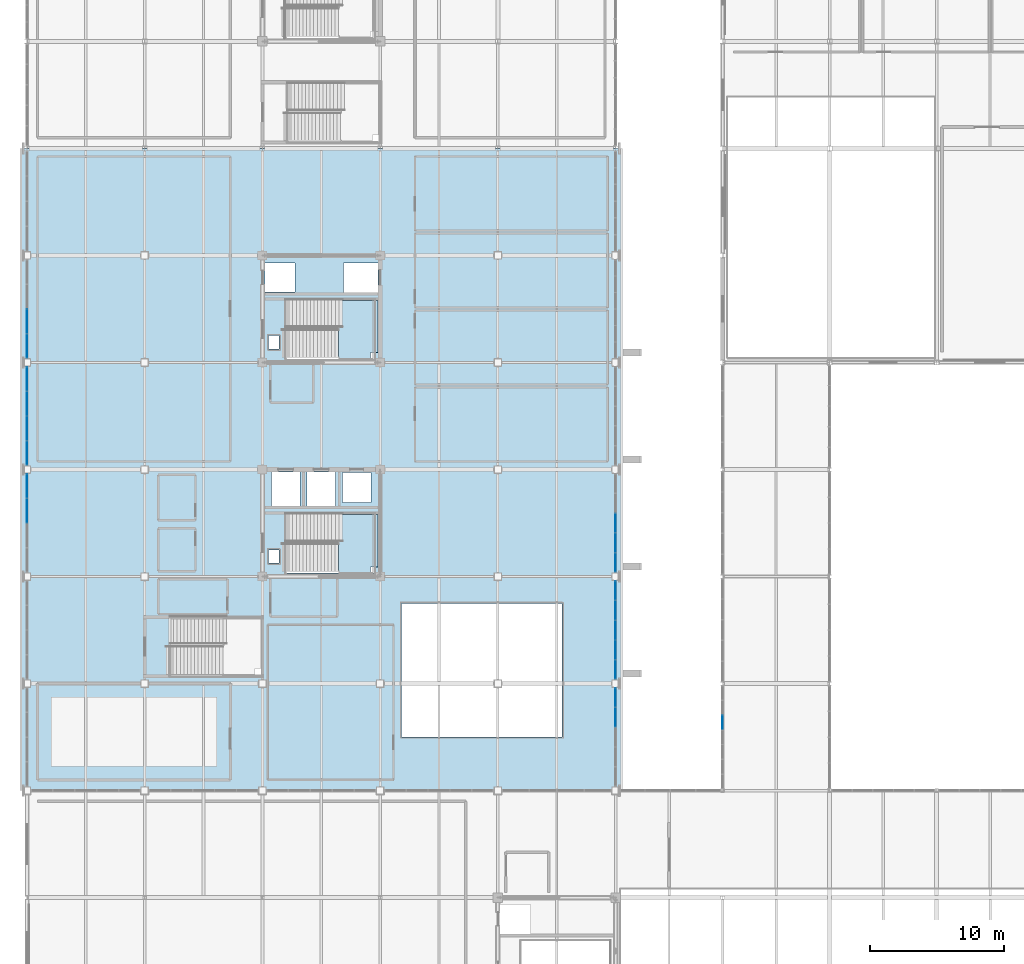
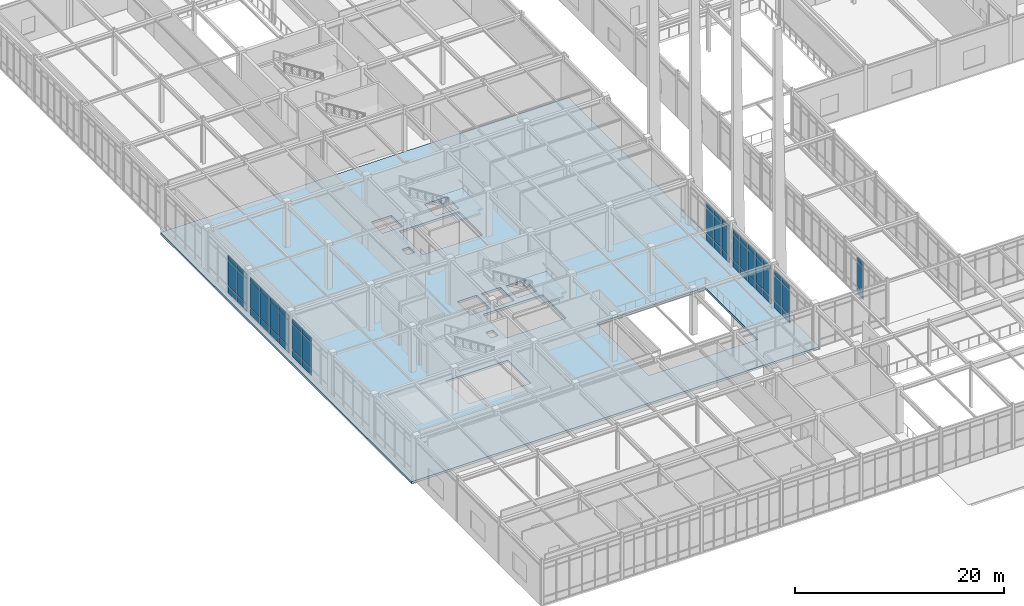
# One storey, part 87 of 184: 57 plates, 3 slabs, 9 elements without a shape of their own.
"""IFC4 building model written with IfcOpenShell, lengths in metres."""

from ifc_helpers import new_model, si_unit, direction, frame, origin, origin_2d, place, context, subcontext, project, spatial, polyline, rectangle, outline, extrude, material, layer, layer_set, type_object, element, aggregate, save


model = new_model("IFC4")

# Units and contexts
model_context = context("Model", 3, precision=1e-05, world=origin(), true_north=direction((0.0, 1.0)))
body_context = subcontext(model_context, "Body", "Model", "MODEL_VIEW")
ifc_project = project(units=[si_unit("LENGTHUNIT", "METRE"), si_unit("AREAUNIT", "SQUARE_METRE"), si_unit("VOLUMEUNIT", "CUBIC_METRE"), si_unit("PLANEANGLEUNIT", "RADIAN"), si_unit("MASSUNIT", "GRAM", prefix="KILO")], contexts=[model_context])

# Site, building, storey
site_placement = place(None, origin())
site = spatial("IfcSite", under=ifc_project, at=site_placement, CompositionType="ELEMENT")
building_placement = place(site_placement, origin())
building = spatial("IfcBuilding", under=site, at=building_placement, Name="Zhaolan Boulevard Law Courts", CompositionType="ELEMENT")
storey_placement = place(building_placement, frame((0.0, 0.0, 5.39990234375)))
storey = spatial("IfcBuildingStorey", under=building, at=storey_placement, Name="L01", CompositionType="ELEMENT", Elevation=5.39990234375)

# Curtain wall, plates
ifc_material_1 = material(Name="Thermally broken aluminium and low-E glazing", Category="aluminium")
curtain_wall_type_1 = type_object("IfcCurtainWallType", Name="CURTAIN WALL M18", PredefinedType="USERDEFINED", material=ifc_material_1)
curtain_wall_1_placement = place(storey_placement, origin())
curtain_wall_1 = element("IfcCurtainWall", 1, at=curtain_wall_1_placement, inside=storey, type_object=curtain_wall_type_1, Name="Curtain Wall CW-L01-066", ObjectType="CURTAIN WALL", PredefinedType="USERDEFINED")
ifc_material_2 = material(Name="Acoustic laminated low-E glazing", Category="glass")
ifc_layer_1 = layer(ifc_material_2, 0.031982421875)
ifc_layer_set_1 = layer_set([ifc_layer_1])
plate_type = type_object("IfcPlateType", Name="CWPANEL LOW E32", PredefinedType="CURTAIN_PANEL", material=ifc_layer_set_1)
plate_1_placement = place(storey_placement, frame((52.0, 35.106689453125, 0.06494140625), z_axis=(0.0, 0.0, 1.0), x_axis=(0.0, -1.0, 0.0)))
plate_1 = element("IfcPlate", 2, at=plate_1_placement, type_object=plate_type, Name="CW-L01-066 panel 3.1", PredefinedType="CURTAIN_PANEL", context=body_context, shape_type="SweptSolid", body=[
    extrude(rectangle(XDim=1.04150390625, YDim=0.031982421875, at=origin_2d()), origin(), (0.0, 0.0, 1.0), 0.802490234375),
])
plate_2_placement = place(storey_placement, frame((52.0, 35.106689453125, 0.9326171875), z_axis=(0.0, 0.0, 1.0), x_axis=(0.0, -1.0, 0.0)))
plate_2 = element("IfcPlate", 3, at=plate_2_placement, type_object=plate_type, Name="CW-L01-066 panel 3.2", PredefinedType="CURTAIN_PANEL", context=body_context, shape_type="SweptSolid", body=[
    extrude(rectangle(XDim=1.04150390625, YDim=0.031982421875, at=origin_2d()), origin(), (0.0, 0.0, 1.0), 2.91796875),
])
plate_3_placement = place(storey_placement, frame((52.0, 35.106689453125, 3.91552734375), z_axis=(0.0, 0.0, 1.0), x_axis=(0.0, -1.0, 0.0)))
plate_3 = element("IfcPlate", 4, at=plate_3_placement, type_object=plate_type, Name="CW-L01-066 panel 3.3", PredefinedType="CURTAIN_PANEL", context=body_context, shape_type="SweptSolid", body=[
    extrude(rectangle(XDim=1.04150390625, YDim=0.031982421875, at=origin_2d()), origin(), (0.0, 0.0, 1.0), 0.552490234375),
])
aggregate(curtain_wall_1, [plate_1, plate_2, plate_3])

ifc_material_3 = material(Name="Thermally broken aluminium and low-E glazing", Category="aluminium")
curtain_wall_type_2 = type_object("IfcCurtainWallType", Name="CURTAIN WALL M21", PredefinedType="USERDEFINED", material=ifc_material_3)
curtain_wall_2_placement = place(storey_placement, origin())
curtain_wall_2 = element("IfcCurtainWall", 5, at=curtain_wall_2_placement, inside=storey, type_object=curtain_wall_type_2, Name="Curtain Wall CW-L01-141", ObjectType="CURTAIN WALL", PredefinedType="USERDEFINED")
plate_4_placement = place(storey_placement, frame((0.0, 52.75732421875, 0.06494140625), z_axis=(0.0, 0.0, 1.0), x_axis=(0.0, -1.0, 0.0)))
plate_4 = element("IfcPlate", 6, at=plate_4_placement, type_object=plate_type, Name="CW-L01-141 panel 1.1", PredefinedType="CURTAIN_PANEL", context=body_context, shape_type="SweptSolid", body=[
    extrude(rectangle(XDim=1.75146484375, YDim=0.031982421875, at=origin_2d()), origin(), (0.0, 0.0, 1.0), 0.802490234375),
])
plate_5_placement = place(storey_placement, frame((0.0, 52.75732421875, 0.9326171875), z_axis=(0.0, 0.0, 1.0), x_axis=(0.0, -1.0, 0.0)))
plate_5 = element("IfcPlate", 7, at=plate_5_placement, type_object=plate_type, Name="CW-L01-141 panel 1.2", PredefinedType="CURTAIN_PANEL", context=body_context, shape_type="SweptSolid", body=[
    extrude(rectangle(XDim=1.75146484375, YDim=0.031982421875, at=origin_2d()), origin(), (0.0, 0.0, 1.0), 2.907958984375),
])
plate_6_placement = place(storey_placement, frame((0.0, 52.75732421875, 3.90576171875), z_axis=(0.0, 0.0, 1.0), x_axis=(0.0, -1.0, 0.0)))
plate_6 = element("IfcPlate", 8, at=plate_6_placement, type_object=plate_type, Name="CW-L01-141 panel 1.3", PredefinedType="CURTAIN_PANEL", context=body_context, shape_type="SweptSolid", body=[
    extrude(rectangle(XDim=1.75146484375, YDim=0.031982421875, at=origin_2d()), origin(), (0.0, 0.0, 1.0), 0.552490234375),
])
plate_7_placement = place(storey_placement, frame((0.0, 50.924560546875, 0.06494140625), z_axis=(0.0, 0.0, 1.0), x_axis=(0.0, -1.0, 0.0)))
plate_7 = element("IfcPlate", 9, at=plate_7_placement, type_object=plate_type, Name="CW-L01-141 panel 2.1", PredefinedType="CURTAIN_PANEL", context=body_context, shape_type="SweptSolid", body=[
    extrude(rectangle(XDim=1.783935546875, YDim=0.031982421875, at=origin_2d()), origin(), (0.0, 0.0, 1.0), 0.802490234375),
])
plate_8_placement = place(storey_placement, frame((0.0, 50.924560546875, 0.9326171875), z_axis=(0.0, 0.0, 1.0), x_axis=(0.0, -1.0, 0.0)))
plate_8 = element("IfcPlate", 10, at=plate_8_placement, type_object=plate_type, Name="CW-L01-141 panel 2.2", PredefinedType="CURTAIN_PANEL", context=body_context, shape_type="SweptSolid", body=[
    extrude(rectangle(XDim=1.783935546875, YDim=0.031982421875, at=origin_2d()), origin(), (0.0, 0.0, 1.0), 2.907958984375),
])
plate_9_placement = place(storey_placement, frame((0.0, 50.924560546875, 3.90576171875), z_axis=(0.0, 0.0, 1.0), x_axis=(0.0, -1.0, 0.0)))
plate_9 = element("IfcPlate", 11, at=plate_9_placement, type_object=plate_type, Name="CW-L01-141 panel 2.3", PredefinedType="CURTAIN_PANEL", context=body_context, shape_type="SweptSolid", body=[
    extrude(rectangle(XDim=1.783935546875, YDim=0.031982421875, at=origin_2d()), origin(), (0.0, 0.0, 1.0), 0.552490234375),
])
aggregate(curtain_wall_2, [plate_4, plate_5, plate_6, plate_7, plate_8, plate_9])

ifc_material_4 = material(Name="Thermally broken aluminium and low-E glazing", Category="aluminium")
curtain_wall_type_3 = type_object("IfcCurtainWallType", Name="CURTAIN WALL M22", PredefinedType="USERDEFINED", material=ifc_material_4)
curtain_wall_3_placement = place(storey_placement, origin())
curtain_wall_3 = element("IfcCurtainWall", 12, at=curtain_wall_3_placement, inside=storey, type_object=curtain_wall_type_3, Name="Curtain Wall CW-L01-142", ObjectType="CURTAIN WALL", PredefinedType="USERDEFINED")
plate_10_placement = place(storey_placement, frame((0.0, 60.75732421875, 0.06494140625), z_axis=(0.0, 0.0, 1.0), x_axis=(0.0, -1.0, 0.0)))
plate_10 = element("IfcPlate", 13, at=plate_10_placement, type_object=plate_type, Name="CW-L01-142 panel 1.1", PredefinedType="CURTAIN_PANEL", context=body_context, shape_type="SweptSolid", body=[
    extrude(rectangle(XDim=1.75146484375, YDim=0.031982421875, at=origin_2d()), origin(), (0.0, 0.0, 1.0), 0.802490234375),
])
plate_11_placement = place(storey_placement, frame((0.0, 60.75732421875, 0.9326171875), z_axis=(0.0, 0.0, 1.0), x_axis=(0.0, -1.0, 0.0)))
plate_11 = element("IfcPlate", 14, at=plate_11_placement, type_object=plate_type, Name="CW-L01-142 panel 1.2", PredefinedType="CURTAIN_PANEL", context=body_context, shape_type="SweptSolid", body=[
    extrude(rectangle(XDim=1.75146484375, YDim=0.031982421875, at=origin_2d()), origin(), (0.0, 0.0, 1.0), 2.907958984375),
])
plate_12_placement = place(storey_placement, frame((0.0, 60.75732421875, 3.90576171875), z_axis=(0.0, 0.0, 1.0), x_axis=(0.0, -1.0, 0.0)))
plate_12 = element("IfcPlate", 15, at=plate_12_placement, type_object=plate_type, Name="CW-L01-142 panel 1.3", PredefinedType="CURTAIN_PANEL", context=body_context, shape_type="SweptSolid", body=[
    extrude(rectangle(XDim=1.75146484375, YDim=0.031982421875, at=origin_2d()), origin(), (0.0, 0.0, 1.0), 0.552490234375),
])
plate_13_placement = place(storey_placement, frame((0.0, 58.924560546875, 0.06494140625), z_axis=(0.0, 0.0, 1.0), x_axis=(0.0, -1.0, 0.0)))
plate_13 = element("IfcPlate", 16, at=plate_13_placement, type_object=plate_type, Name="CW-L01-142 panel 2.1", PredefinedType="CURTAIN_PANEL", context=body_context, shape_type="SweptSolid", body=[
    extrude(rectangle(XDim=1.783935546875, YDim=0.031982421875, at=origin_2d()), origin(), (0.0, 0.0, 1.0), 0.802490234375),
])
plate_14_placement = place(storey_placement, frame((0.0, 58.924560546875, 0.9326171875), z_axis=(0.0, 0.0, 1.0), x_axis=(0.0, -1.0, 0.0)))
plate_14 = element("IfcPlate", 17, at=plate_14_placement, type_object=plate_type, Name="CW-L01-142 panel 2.2", PredefinedType="CURTAIN_PANEL", context=body_context, shape_type="SweptSolid", body=[
    extrude(rectangle(XDim=1.783935546875, YDim=0.031982421875, at=origin_2d()), origin(), (0.0, 0.0, 1.0), 2.907958984375),
])
plate_15_placement = place(storey_placement, frame((0.0, 58.924560546875, 3.90576171875), z_axis=(0.0, 0.0, 1.0), x_axis=(0.0, -1.0, 0.0)))
plate_15 = element("IfcPlate", 18, at=plate_15_placement, type_object=plate_type, Name="CW-L01-142 panel 2.3", PredefinedType="CURTAIN_PANEL", context=body_context, shape_type="SweptSolid", body=[
    extrude(rectangle(XDim=1.783935546875, YDim=0.031982421875, at=origin_2d()), origin(), (0.0, 0.0, 1.0), 0.552490234375),
])
plate_16_placement = place(storey_placement, frame((0.0, 57.075439453125, 0.06494140625), z_axis=(0.0, 0.0, 1.0), x_axis=(0.0, -1.0, 0.0)))
plate_16 = element("IfcPlate", 19, at=plate_16_placement, type_object=plate_type, Name="CW-L01-142 panel 3.1", PredefinedType="CURTAIN_PANEL", context=body_context, shape_type="SweptSolid", body=[
    extrude(rectangle(XDim=1.783935546875, YDim=0.031982421875, at=origin_2d()), origin(), (0.0, 0.0, 1.0), 0.802490234375),
])
plate_17_placement = place(storey_placement, frame((0.0, 57.075439453125, 0.9326171875), z_axis=(0.0, 0.0, 1.0), x_axis=(0.0, -1.0, 0.0)))
plate_17 = element("IfcPlate", 20, at=plate_17_placement, type_object=plate_type, Name="CW-L01-142 panel 3.2", PredefinedType="CURTAIN_PANEL", context=body_context, shape_type="SweptSolid", body=[
    extrude(rectangle(XDim=1.783935546875, YDim=0.031982421875, at=origin_2d()), origin(), (0.0, 0.0, 1.0), 2.907958984375),
])
plate_18_placement = place(storey_placement, frame((0.0, 57.075439453125, 3.90576171875), z_axis=(0.0, 0.0, 1.0), x_axis=(0.0, -1.0, 0.0)))
plate_18 = element("IfcPlate", 21, at=plate_18_placement, type_object=plate_type, Name="CW-L01-142 panel 3.3", PredefinedType="CURTAIN_PANEL", context=body_context, shape_type="SweptSolid", body=[
    extrude(rectangle(XDim=1.783935546875, YDim=0.031982421875, at=origin_2d()), origin(), (0.0, 0.0, 1.0), 0.552490234375),
])
plate_19_placement = place(storey_placement, frame((0.0, 55.24267578125, 0.06494140625), z_axis=(0.0, 0.0, 1.0), x_axis=(0.0, -1.0, 0.0)))
plate_19 = element("IfcPlate", 22, at=plate_19_placement, type_object=plate_type, Name="CW-L01-142 panel 4.1", PredefinedType="CURTAIN_PANEL", context=body_context, shape_type="SweptSolid", body=[
    extrude(rectangle(XDim=1.75146484375, YDim=0.031982421875, at=origin_2d()), origin(), (0.0, 0.0, 1.0), 0.802490234375),
])
plate_20_placement = place(storey_placement, frame((0.0, 55.24267578125, 0.9326171875), z_axis=(0.0, 0.0, 1.0), x_axis=(0.0, -1.0, 0.0)))
plate_20 = element("IfcPlate", 23, at=plate_20_placement, type_object=plate_type, Name="CW-L01-142 panel 4.2", PredefinedType="CURTAIN_PANEL", context=body_context, shape_type="SweptSolid", body=[
    extrude(rectangle(XDim=1.75146484375, YDim=0.031982421875, at=origin_2d()), origin(), (0.0, 0.0, 1.0), 2.907958984375),
])
plate_21_placement = place(storey_placement, frame((0.0, 55.24267578125, 3.90576171875), z_axis=(0.0, 0.0, 1.0), x_axis=(0.0, -1.0, 0.0)))
plate_21 = element("IfcPlate", 24, at=plate_21_placement, type_object=plate_type, Name="CW-L01-142 panel 4.3", PredefinedType="CURTAIN_PANEL", context=body_context, shape_type="SweptSolid", body=[
    extrude(rectangle(XDim=1.75146484375, YDim=0.031982421875, at=origin_2d()), origin(), (0.0, 0.0, 1.0), 0.552490234375),
])
aggregate(curtain_wall_3, [plate_10, plate_11, plate_12, plate_13, plate_14, plate_15, plate_16, plate_17, plate_18, plate_19, plate_20, plate_21])

ifc_material_5 = material(Name="Thermally broken aluminium and low-E glazing", Category="aluminium")
curtain_wall_type_4 = type_object("IfcCurtainWallType", Name="CURTAIN WALL M23", PredefinedType="USERDEFINED", material=ifc_material_5)
curtain_wall_4_placement = place(storey_placement, origin())
curtain_wall_4 = element("IfcCurtainWall", 25, at=curtain_wall_4_placement, inside=storey, type_object=curtain_wall_type_4, Name="Curtain Wall CW-L01-143", ObjectType="CURTAIN WALL", PredefinedType="USERDEFINED")
plate_22_placement = place(storey_placement, frame((0.0, 65.075439453125, 0.06494140625), z_axis=(0.0, 0.0, 1.0), x_axis=(0.0, -1.0, 0.0)))
plate_22 = element("IfcPlate", 26, at=plate_22_placement, type_object=plate_type, Name="CW-L01-143 panel 3.1", PredefinedType="CURTAIN_PANEL", context=body_context, shape_type="SweptSolid", body=[
    extrude(rectangle(XDim=1.783935546875, YDim=0.031982421875, at=origin_2d()), origin(), (0.0, 0.0, 1.0), 0.802490234375),
])
plate_23_placement = place(storey_placement, frame((0.0, 65.075439453125, 0.9326171875), z_axis=(0.0, 0.0, 1.0), x_axis=(0.0, -1.0, 0.0)))
plate_23 = element("IfcPlate", 27, at=plate_23_placement, type_object=plate_type, Name="CW-L01-143 panel 3.2", PredefinedType="CURTAIN_PANEL", context=body_context, shape_type="SweptSolid", body=[
    extrude(rectangle(XDim=1.783935546875, YDim=0.031982421875, at=origin_2d()), origin(), (0.0, 0.0, 1.0), 2.907958984375),
])
plate_24_placement = place(storey_placement, frame((0.0, 65.075439453125, 3.90576171875), z_axis=(0.0, 0.0, 1.0), x_axis=(0.0, -1.0, 0.0)))
plate_24 = element("IfcPlate", 28, at=plate_24_placement, type_object=plate_type, Name="CW-L01-143 panel 3.3", PredefinedType="CURTAIN_PANEL", context=body_context, shape_type="SweptSolid", body=[
    extrude(rectangle(XDim=1.783935546875, YDim=0.031982421875, at=origin_2d()), origin(), (0.0, 0.0, 1.0), 0.552490234375),
])
plate_25_placement = place(storey_placement, frame((0.0, 63.24267578125, 0.06494140625), z_axis=(0.0, 0.0, 1.0), x_axis=(0.0, -1.0, 0.0)))
plate_25 = element("IfcPlate", 29, at=plate_25_placement, type_object=plate_type, Name="CW-L01-143 panel 4.1", PredefinedType="CURTAIN_PANEL", context=body_context, shape_type="SweptSolid", body=[
    extrude(rectangle(XDim=1.75146484375, YDim=0.031982421875, at=origin_2d()), origin(), (0.0, 0.0, 1.0), 0.802490234375),
])
plate_26_placement = place(storey_placement, frame((0.0, 63.24267578125, 0.9326171875), z_axis=(0.0, 0.0, 1.0), x_axis=(0.0, -1.0, 0.0)))
plate_26 = element("IfcPlate", 30, at=plate_26_placement, type_object=plate_type, Name="CW-L01-143 panel 4.2", PredefinedType="CURTAIN_PANEL", context=body_context, shape_type="SweptSolid", body=[
    extrude(rectangle(XDim=1.75146484375, YDim=0.031982421875, at=origin_2d()), origin(), (0.0, 0.0, 1.0), 2.907958984375),
])
plate_27_placement = place(storey_placement, frame((0.0, 63.24267578125, 3.90576171875), z_axis=(0.0, 0.0, 1.0), x_axis=(0.0, -1.0, 0.0)))
plate_27 = element("IfcPlate", 31, at=plate_27_placement, type_object=plate_type, Name="CW-L01-143 panel 4.3", PredefinedType="CURTAIN_PANEL", context=body_context, shape_type="SweptSolid", body=[
    extrude(rectangle(XDim=1.75146484375, YDim=0.031982421875, at=origin_2d()), origin(), (0.0, 0.0, 1.0), 0.552490234375),
])
aggregate(curtain_wall_4, [plate_22, plate_23, plate_24, plate_25, plate_26, plate_27])

ifc_material_6 = material(Name="Thermally broken aluminium and low-E glazing", Category="aluminium")
curtain_wall_type_5 = type_object("IfcCurtainWallType", Name="CURTAIN WALL M1", PredefinedType="USERDEFINED", material=ifc_material_6)
curtain_wall_5_placement = place(storey_placement, origin())
curtain_wall_5 = element("IfcCurtainWall", 32, at=curtain_wall_5_placement, inside=storey, type_object=curtain_wall_type_5, Name="Curtain Wall CW-L01-145", ObjectType="CURTAIN WALL", PredefinedType="USERDEFINED")
plate_28_placement = place(storey_placement, frame((44.0, 35.479248046875, 0.06494140625), z_axis=(0.0, 0.0, 1.0), x_axis=(0.0, 1.0, 0.0)))
plate_28 = element("IfcPlate", 33, at=plate_28_placement, type_object=plate_type, Name="CW-L01-145 panel 4.1", PredefinedType="CURTAIN_PANEL", context=body_context, shape_type="SweptSolid", body=[
    extrude(rectangle(XDim=1.414306640625, YDim=0.031982421875, at=origin_2d()), origin(), (0.0, 0.0, 1.0), 0.802490234375),
])
plate_29_placement = place(storey_placement, frame((44.0, 35.479248046875, 0.9326171875), z_axis=(0.0, 0.0, 1.0), x_axis=(0.0, 1.0, 0.0)))
plate_29 = element("IfcPlate", 34, at=plate_29_placement, type_object=plate_type, Name="CW-L01-145 panel 4.2", PredefinedType="CURTAIN_PANEL", context=body_context, shape_type="SweptSolid", body=[
    extrude(rectangle(XDim=1.414306640625, YDim=0.031982421875, at=origin_2d()), origin(), (0.0, 0.0, 1.0), 2.907958984375),
])
plate_30_placement = place(storey_placement, frame((44.0, 35.479248046875, 3.90576171875), z_axis=(0.0, 0.0, 1.0), x_axis=(0.0, 1.0, 0.0)))
plate_30 = element("IfcPlate", 35, at=plate_30_placement, type_object=plate_type, Name="CW-L01-145 panel 4.3", PredefinedType="CURTAIN_PANEL", context=body_context, shape_type="SweptSolid", body=[
    extrude(rectangle(XDim=1.414306640625, YDim=0.031982421875, at=origin_2d()), origin(), (0.0, 0.0, 1.0), 0.552490234375),
])
plate_31_placement = place(storey_placement, frame((44.0, 36.942138671875, 0.06494140625), z_axis=(0.0, 0.0, 1.0), x_axis=(0.0, 1.0, 0.0)))
plate_31 = element("IfcPlate", 36, at=plate_31_placement, type_object=plate_type, Name="CW-L01-145 panel 5.1", PredefinedType="CURTAIN_PANEL", context=body_context, shape_type="SweptSolid", body=[
    extrude(rectangle(XDim=1.381591796875, YDim=0.031982421875, at=origin_2d()), origin(), (0.0, 0.0, 1.0), 0.802490234375),
])
plate_32_placement = place(storey_placement, frame((44.0, 36.942138671875, 0.9326171875), z_axis=(0.0, 0.0, 1.0), x_axis=(0.0, 1.0, 0.0)))
plate_32 = element("IfcPlate", 37, at=plate_32_placement, type_object=plate_type, Name="CW-L01-145 panel 5.2", PredefinedType="CURTAIN_PANEL", context=body_context, shape_type="SweptSolid", body=[
    extrude(rectangle(XDim=1.381591796875, YDim=0.031982421875, at=origin_2d()), origin(), (0.0, 0.0, 1.0), 2.907958984375),
])
plate_33_placement = place(storey_placement, frame((44.0, 36.942138671875, 3.90576171875), z_axis=(0.0, 0.0, 1.0), x_axis=(0.0, 1.0, 0.0)))
plate_33 = element("IfcPlate", 38, at=plate_33_placement, type_object=plate_type, Name="CW-L01-145 panel 5.3", PredefinedType="CURTAIN_PANEL", context=body_context, shape_type="SweptSolid", body=[
    extrude(rectangle(XDim=1.381591796875, YDim=0.031982421875, at=origin_2d()), origin(), (0.0, 0.0, 1.0), 0.552490234375),
])
aggregate(curtain_wall_5, [plate_28, plate_29, plate_30, plate_31, plate_32, plate_33])

ifc_material_7 = material(Name="Thermally broken aluminium and low-E glazing", Category="aluminium")
curtain_wall_type_6 = type_object("IfcCurtainWallType", Name="CURTAIN WALL M2", PredefinedType="USERDEFINED", material=ifc_material_7)
curtain_wall_6_placement = place(storey_placement, origin())
curtain_wall_6 = element("IfcCurtainWall", 39, at=curtain_wall_6_placement, inside=storey, type_object=curtain_wall_type_6, Name="Curtain Wall CW-L01-146", ObjectType="CURTAIN WALL", PredefinedType="USERDEFINED")
plate_34_placement = place(storey_placement, frame((44.0, 39.057861328125, 0.06494140625), z_axis=(0.0, 0.0, 1.0), x_axis=(0.0, 1.0, 0.0)))
plate_34 = element("IfcPlate", 40, at=plate_34_placement, type_object=plate_type, Name="CW-L01-146 panel 1.1", PredefinedType="CURTAIN_PANEL", context=body_context, shape_type="SweptSolid", body=[
    extrude(rectangle(XDim=1.381591796875, YDim=0.031982421875, at=origin_2d()), origin(), (0.0, 0.0, 1.0), 0.802490234375),
])
plate_35_placement = place(storey_placement, frame((44.0, 39.057861328125, 0.9326171875), z_axis=(0.0, 0.0, 1.0), x_axis=(0.0, 1.0, 0.0)))
plate_35 = element("IfcPlate", 41, at=plate_35_placement, type_object=plate_type, Name="CW-L01-146 panel 1.2", PredefinedType="CURTAIN_PANEL", context=body_context, shape_type="SweptSolid", body=[
    extrude(rectangle(XDim=1.381591796875, YDim=0.031982421875, at=origin_2d()), origin(), (0.0, 0.0, 1.0), 2.907958984375),
])
plate_36_placement = place(storey_placement, frame((44.0, 39.057861328125, 3.90576171875), z_axis=(0.0, 0.0, 1.0), x_axis=(0.0, 1.0, 0.0)))
plate_36 = element("IfcPlate", 42, at=plate_36_placement, type_object=plate_type, Name="CW-L01-146 panel 1.3", PredefinedType="CURTAIN_PANEL", context=body_context, shape_type="SweptSolid", body=[
    extrude(rectangle(XDim=1.381591796875, YDim=0.031982421875, at=origin_2d()), origin(), (0.0, 0.0, 1.0), 0.552490234375),
])
plate_37_placement = place(storey_placement, frame((44.0, 40.520751953125, 0.06494140625), z_axis=(0.0, 0.0, 1.0), x_axis=(0.0, 1.0, 0.0)))
plate_37 = element("IfcPlate", 43, at=plate_37_placement, type_object=plate_type, Name="CW-L01-146 panel 2.1", PredefinedType="CURTAIN_PANEL", context=body_context, shape_type="SweptSolid", body=[
    extrude(rectangle(XDim=1.414306640625, YDim=0.031982421875, at=origin_2d()), origin(), (0.0, 0.0, 1.0), 0.802490234375),
])
plate_38_placement = place(storey_placement, frame((44.0, 40.520751953125, 0.9326171875), z_axis=(0.0, 0.0, 1.0), x_axis=(0.0, 1.0, 0.0)))
plate_38 = element("IfcPlate", 44, at=plate_38_placement, type_object=plate_type, Name="CW-L01-146 panel 2.2", PredefinedType="CURTAIN_PANEL", context=body_context, shape_type="SweptSolid", body=[
    extrude(rectangle(XDim=1.414306640625, YDim=0.031982421875, at=origin_2d()), origin(), (0.0, 0.0, 1.0), 2.907958984375),
])
plate_39_placement = place(storey_placement, frame((44.0, 40.520751953125, 3.90576171875), z_axis=(0.0, 0.0, 1.0), x_axis=(0.0, 1.0, 0.0)))
plate_39 = element("IfcPlate", 45, at=plate_39_placement, type_object=plate_type, Name="CW-L01-146 panel 2.3", PredefinedType="CURTAIN_PANEL", context=body_context, shape_type="SweptSolid", body=[
    extrude(rectangle(XDim=1.414306640625, YDim=0.031982421875, at=origin_2d()), origin(), (0.0, 0.0, 1.0), 0.552490234375),
])
plate_40_placement = place(storey_placement, frame((44.0, 42.0, 0.06494140625), z_axis=(0.0, 0.0, 1.0), x_axis=(0.0, 1.0, 0.0)))
plate_40 = element("IfcPlate", 46, at=plate_40_placement, type_object=plate_type, Name="CW-L01-146 panel 3.1", PredefinedType="CURTAIN_PANEL", context=body_context, shape_type="SweptSolid", body=[
    extrude(rectangle(XDim=1.414306640625, YDim=0.031982421875, at=origin_2d()), origin(), (0.0, 0.0, 1.0), 0.802490234375),
])
plate_41_placement = place(storey_placement, frame((44.0, 42.0, 0.9326171875), z_axis=(0.0, 0.0, 1.0), x_axis=(0.0, 1.0, 0.0)))
plate_41 = element("IfcPlate", 47, at=plate_41_placement, type_object=plate_type, Name="CW-L01-146 panel 3.2", PredefinedType="CURTAIN_PANEL", context=body_context, shape_type="SweptSolid", body=[
    extrude(rectangle(XDim=1.414306640625, YDim=0.031982421875, at=origin_2d()), origin(), (0.0, 0.0, 1.0), 2.907958984375),
])
plate_42_placement = place(storey_placement, frame((44.0, 42.0, 3.90576171875), z_axis=(0.0, 0.0, 1.0), x_axis=(0.0, 1.0, 0.0)))
plate_42 = element("IfcPlate", 48, at=plate_42_placement, type_object=plate_type, Name="CW-L01-146 panel 3.3", PredefinedType="CURTAIN_PANEL", context=body_context, shape_type="SweptSolid", body=[
    extrude(rectangle(XDim=1.414306640625, YDim=0.031982421875, at=origin_2d()), origin(), (0.0, 0.0, 1.0), 0.552490234375),
])
plate_43_placement = place(storey_placement, frame((44.0, 43.479248046875, 0.06494140625), z_axis=(0.0, 0.0, 1.0), x_axis=(0.0, 1.0, 0.0)))
plate_43 = element("IfcPlate", 49, at=plate_43_placement, type_object=plate_type, Name="CW-L01-146 panel 4.1", PredefinedType="CURTAIN_PANEL", context=body_context, shape_type="SweptSolid", body=[
    extrude(rectangle(XDim=1.414306640625, YDim=0.031982421875, at=origin_2d()), origin(), (0.0, 0.0, 1.0), 0.802490234375),
])
plate_44_placement = place(storey_placement, frame((44.0, 43.479248046875, 0.9326171875), z_axis=(0.0, 0.0, 1.0), x_axis=(0.0, 1.0, 0.0)))
plate_44 = element("IfcPlate", 50, at=plate_44_placement, type_object=plate_type, Name="CW-L01-146 panel 4.2", PredefinedType="CURTAIN_PANEL", context=body_context, shape_type="SweptSolid", body=[
    extrude(rectangle(XDim=1.414306640625, YDim=0.031982421875, at=origin_2d()), origin(), (0.0, 0.0, 1.0), 2.907958984375),
])
plate_45_placement = place(storey_placement, frame((44.0, 43.479248046875, 3.90576171875), z_axis=(0.0, 0.0, 1.0), x_axis=(0.0, 1.0, 0.0)))
plate_45 = element("IfcPlate", 51, at=plate_45_placement, type_object=plate_type, Name="CW-L01-146 panel 4.3", PredefinedType="CURTAIN_PANEL", context=body_context, shape_type="SweptSolid", body=[
    extrude(rectangle(XDim=1.414306640625, YDim=0.031982421875, at=origin_2d()), origin(), (0.0, 0.0, 1.0), 0.552490234375),
])
plate_46_placement = place(storey_placement, frame((44.0, 44.942138671875, 0.06494140625), z_axis=(0.0, 0.0, 1.0), x_axis=(0.0, 1.0, 0.0)))
plate_46 = element("IfcPlate", 52, at=plate_46_placement, type_object=plate_type, Name="CW-L01-146 panel 5.1", PredefinedType="CURTAIN_PANEL", context=body_context, shape_type="SweptSolid", body=[
    extrude(rectangle(XDim=1.381591796875, YDim=0.031982421875, at=origin_2d()), origin(), (0.0, 0.0, 1.0), 0.802490234375),
])
plate_47_placement = place(storey_placement, frame((44.0, 44.942138671875, 0.9326171875), z_axis=(0.0, 0.0, 1.0), x_axis=(0.0, 1.0, 0.0)))
plate_47 = element("IfcPlate", 53, at=plate_47_placement, type_object=plate_type, Name="CW-L01-146 panel 5.2", PredefinedType="CURTAIN_PANEL", context=body_context, shape_type="SweptSolid", body=[
    extrude(rectangle(XDim=1.381591796875, YDim=0.031982421875, at=origin_2d()), origin(), (0.0, 0.0, 1.0), 2.907958984375),
])
plate_48_placement = place(storey_placement, frame((44.0, 44.942138671875, 3.90576171875), z_axis=(0.0, 0.0, 1.0), x_axis=(0.0, 1.0, 0.0)))
plate_48 = element("IfcPlate", 54, at=plate_48_placement, type_object=plate_type, Name="CW-L01-146 panel 5.3", PredefinedType="CURTAIN_PANEL", context=body_context, shape_type="SweptSolid", body=[
    extrude(rectangle(XDim=1.381591796875, YDim=0.031982421875, at=origin_2d()), origin(), (0.0, 0.0, 1.0), 0.552490234375),
])
aggregate(curtain_wall_6, [plate_34, plate_35, plate_36, plate_37, plate_38, plate_39, plate_40, plate_41, plate_42, plate_43, plate_44, plate_45, plate_46, plate_47, plate_48])

ifc_material_8 = material(Name="Thermally broken aluminium and low-E glazing", Category="aluminium")
curtain_wall_type_7 = type_object("IfcCurtainWallType", Name="CURTAIN WALL M3", PredefinedType="USERDEFINED", material=ifc_material_8)
curtain_wall_7_placement = place(storey_placement, origin())
curtain_wall_7 = element("IfcCurtainWall", 55, at=curtain_wall_7_placement, inside=storey, type_object=curtain_wall_type_7, Name="Curtain Wall CW-L01-147", ObjectType="CURTAIN WALL", PredefinedType="USERDEFINED")
plate_49_placement = place(storey_placement, frame((44.0, 47.057861328125, 0.06494140625), z_axis=(0.0, 0.0, 1.0), x_axis=(0.0, 1.0, 0.0)))
plate_49 = element("IfcPlate", 56, at=plate_49_placement, type_object=plate_type, Name="CW-L01-147 panel 1.1", PredefinedType="CURTAIN_PANEL", context=body_context, shape_type="SweptSolid", body=[
    extrude(rectangle(XDim=1.381591796875, YDim=0.031982421875, at=origin_2d()), origin(), (0.0, 0.0, 1.0), 0.802490234375),
])
plate_50_placement = place(storey_placement, frame((44.0, 47.057861328125, 0.9326171875), z_axis=(0.0, 0.0, 1.0), x_axis=(0.0, 1.0, 0.0)))
plate_50 = element("IfcPlate", 57, at=plate_50_placement, type_object=plate_type, Name="CW-L01-147 panel 1.2", PredefinedType="CURTAIN_PANEL", context=body_context, shape_type="SweptSolid", body=[
    extrude(rectangle(XDim=1.381591796875, YDim=0.031982421875, at=origin_2d()), origin(), (0.0, 0.0, 1.0), 2.907958984375),
])
plate_51_placement = place(storey_placement, frame((44.0, 47.057861328125, 3.90576171875), z_axis=(0.0, 0.0, 1.0), x_axis=(0.0, 1.0, 0.0)))
plate_51 = element("IfcPlate", 58, at=plate_51_placement, type_object=plate_type, Name="CW-L01-147 panel 1.3", PredefinedType="CURTAIN_PANEL", context=body_context, shape_type="SweptSolid", body=[
    extrude(rectangle(XDim=1.381591796875, YDim=0.031982421875, at=origin_2d()), origin(), (0.0, 0.0, 1.0), 0.552490234375),
])
plate_52_placement = place(storey_placement, frame((44.0, 48.520751953125, 0.06494140625), z_axis=(0.0, 0.0, 1.0), x_axis=(0.0, 1.0, 0.0)))
plate_52 = element("IfcPlate", 59, at=plate_52_placement, type_object=plate_type, Name="CW-L01-147 panel 2.1", PredefinedType="CURTAIN_PANEL", context=body_context, shape_type="SweptSolid", body=[
    extrude(rectangle(XDim=1.414306640625, YDim=0.031982421875, at=origin_2d()), origin(), (0.0, 0.0, 1.0), 0.802490234375),
])
plate_53_placement = place(storey_placement, frame((44.0, 48.520751953125, 0.9326171875), z_axis=(0.0, 0.0, 1.0), x_axis=(0.0, 1.0, 0.0)))
plate_53 = element("IfcPlate", 60, at=plate_53_placement, type_object=plate_type, Name="CW-L01-147 panel 2.2", PredefinedType="CURTAIN_PANEL", context=body_context, shape_type="SweptSolid", body=[
    extrude(rectangle(XDim=1.414306640625, YDim=0.031982421875, at=origin_2d()), origin(), (0.0, 0.0, 1.0), 2.907958984375),
])
plate_54_placement = place(storey_placement, frame((44.0, 48.520751953125, 3.90576171875), z_axis=(0.0, 0.0, 1.0), x_axis=(0.0, 1.0, 0.0)))
plate_54 = element("IfcPlate", 61, at=plate_54_placement, type_object=plate_type, Name="CW-L01-147 panel 2.3", PredefinedType="CURTAIN_PANEL", context=body_context, shape_type="SweptSolid", body=[
    extrude(rectangle(XDim=1.414306640625, YDim=0.031982421875, at=origin_2d()), origin(), (0.0, 0.0, 1.0), 0.552490234375),
])
plate_55_placement = place(storey_placement, frame((44.0, 50.0, 0.06494140625), z_axis=(0.0, 0.0, 1.0), x_axis=(0.0, 1.0, 0.0)))
plate_55 = element("IfcPlate", 62, at=plate_55_placement, type_object=plate_type, Name="CW-L01-147 panel 3.1", PredefinedType="CURTAIN_PANEL", context=body_context, shape_type="SweptSolid", body=[
    extrude(rectangle(XDim=1.414306640625, YDim=0.031982421875, at=origin_2d()), origin(), (0.0, 0.0, 1.0), 0.802490234375),
])
plate_56_placement = place(storey_placement, frame((44.0, 50.0, 0.9326171875), z_axis=(0.0, 0.0, 1.0), x_axis=(0.0, 1.0, 0.0)))
plate_56 = element("IfcPlate", 63, at=plate_56_placement, type_object=plate_type, Name="CW-L01-147 panel 3.2", PredefinedType="CURTAIN_PANEL", context=body_context, shape_type="SweptSolid", body=[
    extrude(rectangle(XDim=1.414306640625, YDim=0.031982421875, at=origin_2d()), origin(), (0.0, 0.0, 1.0), 2.907958984375),
])
plate_57_placement = place(storey_placement, frame((44.0, 50.0, 3.90576171875), z_axis=(0.0, 0.0, 1.0), x_axis=(0.0, 1.0, 0.0)))
plate_57 = element("IfcPlate", 64, at=plate_57_placement, type_object=plate_type, Name="CW-L01-147 panel 3.3", PredefinedType="CURTAIN_PANEL", context=body_context, shape_type="SweptSolid", body=[
    extrude(rectangle(XDim=1.414306640625, YDim=0.031982421875, at=origin_2d()), origin(), (0.0, 0.0, 1.0), 0.552490234375),
])
aggregate(curtain_wall_7, [plate_49, plate_50, plate_51, plate_52, plate_53, plate_54, plate_55, plate_56, plate_57])

# Slab
ifc_material_9 = material(Name="Concrete C40", Category="concrete")
ifc_layer_2 = layer(ifc_material_9, 0.260009765625)
ifc_layer_set_2 = layer_set([ifc_layer_2])
slab_type_1 = type_object("IfcSlabType", Name="FLOOR SLAB 260", PredefinedType="FLOOR", material=ifc_layer_set_2)
slab_1_placement = place(storey_placement, frame((0.0, 0.0, -0.260009765625)))
element("IfcSlab", 65, at=slab_1_placement, inside=storey, type_object=slab_type_1, Name="Slab SLB-L01-V5", PredefinedType="FLOOR", context=body_context, shape_type="SweptSolid", body=[
    extrude(outline(polyline([(-0.52001953125, 30.0), (44.52001953125, 30.0), (44.52001953125, 78.0), (-0.52001953125, 78.0), (-0.52001953125, 30.0)]), holes=[polyline([(18.27490234375, 51.27490234375), (20.425048828125, 51.27490234375), (20.425048828125, 53.824951171875), (18.27490234375, 53.824951171875), (18.27490234375, 51.27490234375)]), polyline([(20.925048828125, 51.27490234375), (23.074951171875, 51.27490234375), (23.074951171875, 53.824951171875), (20.925048828125, 53.824951171875), (20.925048828125, 51.27490234375)]), polyline([(23.675048828125, 67.25), (26.22509765625, 67.25), (26.22509765625, 69.449951171875), (23.675048828125, 69.449951171875), (23.675048828125, 67.25)]), polyline([(23.60009765625, 51.52490234375), (25.699951171875, 51.52490234375), (25.699951171875, 53.77490234375), (23.60009765625, 53.77490234375), (23.60009765625, 51.52490234375)]), polyline([(17.77490234375, 67.27490234375), (20.02490234375, 67.27490234375), (20.02490234375, 69.425048828125), (17.77490234375, 69.425048828125), (17.77490234375, 67.27490234375)]), polyline([(19.35009765625, 46.25), (25.949951171875, 46.25), (25.949951171875, 50.75), (19.35009765625, 50.75), (19.35009765625, 46.25)]), polyline([(19.35009765625, 62.25), (25.949951171875, 62.25), (25.949951171875, 66.75), (19.35009765625, 66.75), (19.35009765625, 62.25)]), polyline([(10.699951171875, 38.550048828125), (17.60009765625, 38.550048828125), (17.60009765625, 42.949951171875), (10.699951171875, 42.949951171875), (10.699951171875, 38.550048828125)]), polyline([(18.050048828125, 47.0), (18.85009765625, 47.0), (18.85009765625, 48.0), (18.050048828125, 48.0), (18.050048828125, 47.0)]), polyline([(18.050048828125, 63.0), (18.85009765625, 63.0), (18.85009765625, 64.0), (18.050048828125, 64.0), (18.050048828125, 63.0)]), polyline([(28.0, 34.0), (40.0, 34.0), (40.0, 44.0), (28.0, 44.0), (28.0, 34.0)])]), origin(), (0.0, 0.0, 1.0), 0.260009765625),
])

# Stair, slab
ifc_material_10 = material(Name="Concrete C40", Category="concrete")
stair_type = type_object("IfcStairType", Name="HALF TURN STAIR 54 A", PredefinedType="HALF_TURN_STAIR", material=ifc_material_10)
stair_1_placement = place(storey_placement, origin())
stair_1 = element("IfcStair", 66, at=stair_1_placement, inside=storey, type_object=stair_type, Name="Stair ST01-L01", PredefinedType="HALF_TURN_STAIR")
ifc_material_11 = material(Name="Concrete C40", Category="concrete")
ifc_layer_3 = layer(ifc_material_11, 0.199951171875)
ifc_layer_set_3 = layer_set([ifc_layer_3])
slab_type_2 = type_object("IfcSlabType", Name="STAIR LANDING 200", PredefinedType="LANDING", material=ifc_layer_set_3)
slab_2_placement = place(storey_placement, frame((0.0, 0.0, 2.5)))
slab_2 = element("IfcSlab", 67, at=slab_2_placement, type_object=slab_type_2, Name="Stair Landing ST01-L01-L1", PredefinedType="LANDING", context=body_context, shape_type="SweptSolid", body=[
    extrude(outline(polyline([(23.2900390625, 46.169921875), (25.669921875, 46.169921875), (25.669921875, 46.72998046875), (26.22998046875, 46.72998046875), (26.22998046875, 50.639892578125), (23.2900390625, 50.639892578125), (23.2900390625, 46.169921875)])), origin(), (0.0, 0.0, 1.0), 0.2001953125),
])
aggregate(stair_1, [slab_2])

stair_2_placement = place(storey_placement, origin())
stair_2 = element("IfcStair", 68, at=stair_2_placement, inside=storey, type_object=stair_type, Name="Stair ST02-L01", PredefinedType="HALF_TURN_STAIR")
slab_3_placement = place(storey_placement, frame((0.0, 0.0, 2.5)))
slab_3 = element("IfcSlab", 69, at=slab_3_placement, type_object=slab_type_2, Name="Stair Landing ST02-L01-L1", PredefinedType="LANDING", context=body_context, shape_type="SweptSolid", body=[
    extrude(outline(polyline([(23.2900390625, 62.169921875), (25.669921875, 62.169921875), (25.669921875, 62.72998046875), (26.22998046875, 62.72998046875), (26.22998046875, 66.639892578125), (23.2900390625, 66.639892578125), (23.2900390625, 62.169921875)])), origin(), (0.0, 0.0, 1.0), 0.2001953125),
])
aggregate(stair_2, [slab_3])

save(model, "model.ifc")
